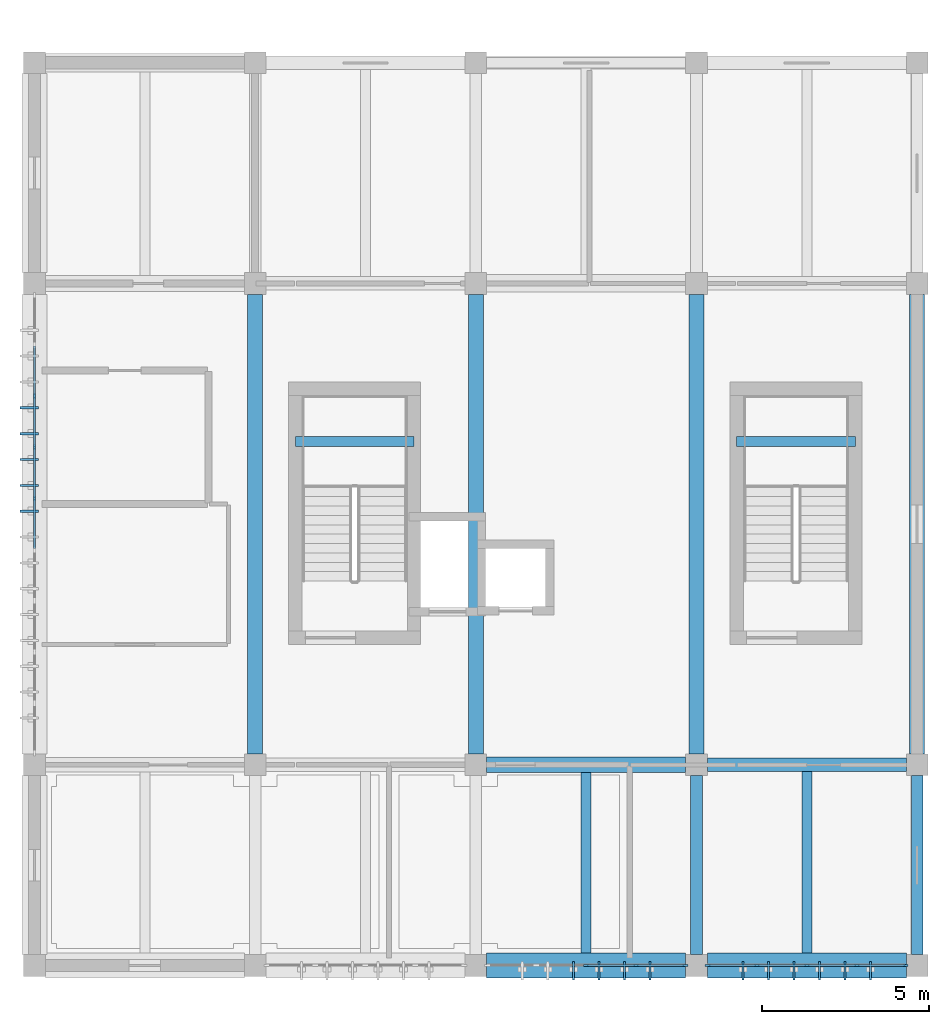
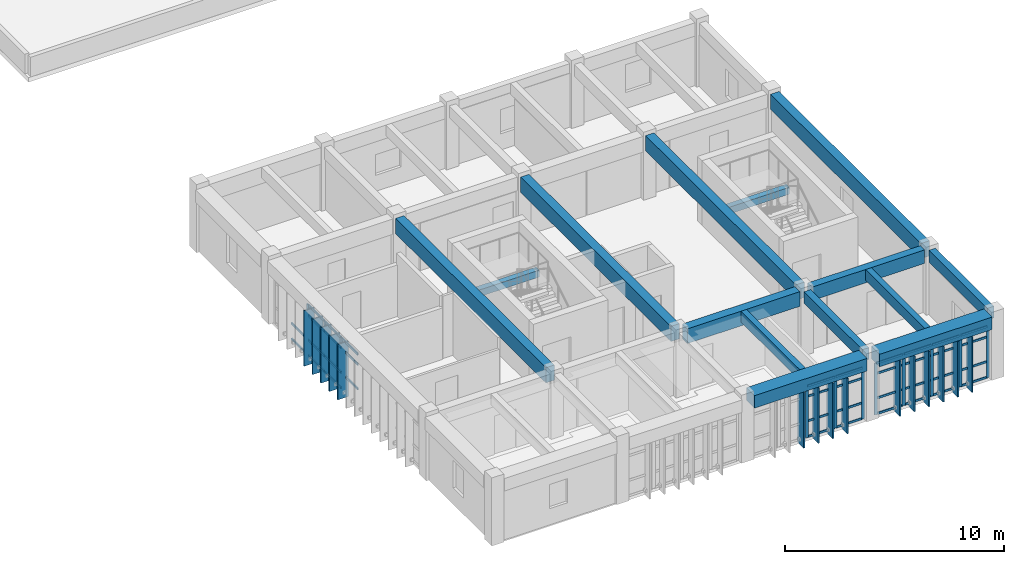
# One storey, part 3 of 9: 63 members, 14 beams, 3 elements without a shape of their own.
"""IFC4 building model written with IfcOpenShell, lengths in metres."""

from ifc_helpers import new_model, si_unit, direction, frame, origin, origin_2d, place, context, subcontext, project, spatial, rectangle, extrude, material, layer, layer_set, material_profile, profile_set, type_object, element, aggregate, save


model = new_model("IFC4")

# Units and contexts
model_context = context("Model", 3, precision=1e-05, world=origin(), true_north=direction((0.0, 1.0)))
body_context = subcontext(model_context, "Body", "Model", "MODEL_VIEW")
ifc_project = project(units=[si_unit("LENGTHUNIT", "METRE"), si_unit("AREAUNIT", "SQUARE_METRE"), si_unit("VOLUMEUNIT", "CUBIC_METRE"), si_unit("PLANEANGLEUNIT", "RADIAN"), si_unit("MASSUNIT", "GRAM", prefix="KILO")], contexts=[model_context])

# Site, building, storey
site_placement = place(None, origin())
site = spatial("IfcSite", under=ifc_project, at=site_placement, CompositionType="ELEMENT")
building_placement = place(site_placement, origin())
building = spatial("IfcBuilding", under=site, at=building_placement, Name="Miralva Faculty of Natural Sciences", CompositionType="ELEMENT")
storey_placement = place(building_placement, frame((0.0, 0.0, 33.0)))
storey = spatial("IfcBuildingStorey", under=building, at=storey_placement, Name="L07", CompositionType="ELEMENT", Elevation=33.0)

# Beams
ifc_material_1 = material(Name="Concrete C40/50", Category="concrete")
ifc_material_profile_1 = material_profile(ifc_material_1, rectangle(XDim=0.449951171875, YDim=0.85009765625, at=origin_2d()), Name="RC 450x850")
ifc_profile_set_1 = profile_set([ifc_material_profile_1], Name="Concrete C40/50")
beam_type_1 = type_object("IfcBeamType", Name="BM-B01", PredefinedType="BEAM", material=ifc_profile_set_1)
for number, where, z_axis, x_axis, name in (
    (1, (9.60009765625, 9.324951171875, 3.155029296875), (0.0, 1.0, 0.0), (-1.0, 0.0, 0.0), "Girder NS L07-21"),
    (2, (16.199951171875, 9.324951171875, 3.155029296875), (0.0, 1.0, 0.0), (-1.0, 0.0, 0.0), "Girder NS L07-24"),
    (3, (22.800048828125, 9.324951171875, 3.155029296875), (0.0, 1.0, 0.0), (-1.0, 0.0, 0.0), "Girder NS L07-27"),
    (4, (29.39990234375, 9.324951171875, 3.155029296875), (0.0, 1.0, 0.0), (-1.0, 0.0, 0.0), "Girder NS L07-30"),
):
    element("IfcBeam", number, at=place(storey_placement, frame(where, z_axis=z_axis, x_axis=x_axis)), inside=storey, type_object=beam_type_1, Name=name, PredefinedType="BEAM", context=body_context, shape_type="SweptSolid", body=[
        extrude(rectangle(XDim=0.449951171875, YDim=0.85009765625, at=origin_2d()), origin(), (0.0, 0.0, 1.0), 13.75),
    ])
ifc_material_profile_2 = material_profile(ifc_material_1, rectangle(XDim=0.39990234375, YDim=0.75, at=origin_2d()), Name="RC 400x750")
ifc_profile_set_2 = profile_set([ifc_material_profile_2], Name="Concrete C40/50")
beam_type_2 = type_object("IfcBeamType", Name="BM-B03", PredefinedType="BEAM", material=ifc_profile_set_2)
beam_1_placement = place(storey_placement, frame((23.125, 9.0, 3.205078125), z_axis=(1.0, 0.0, 0.0), x_axis=(0.0, 1.0, 0.0)))
element("IfcBeam", 5, at=beam_1_placement, inside=storey, type_object=beam_type_2, Name="Girder EW L07-8", PredefinedType="BEAM", context=body_context, shape_type="SweptSolid", body=[
    extrude(rectangle(XDim=0.39990234375, YDim=0.75, at=origin_2d()), origin(), (0.0, 0.0, 1.0), 5.949951171875),
])
ifc_material_profile_3 = material_profile(ifc_material_1, rectangle(XDim=0.35009765625, YDim=0.64990234375, at=origin_2d()), Name="RC 350x650")
ifc_profile_set_3 = profile_set([ifc_material_profile_3], Name="Concrete C40/50")
beam_type_3 = type_object("IfcBeamType", Name="BM-B05", PredefinedType="BEAM", material=ifc_profile_set_3)
for number, where, z_axis, x_axis, name in (
    (6, (22.800048828125, 3.324951171875, 3.2548828125), (0.0, 1.0, 0.0), (-1.0, 0.0, 0.0), "Girder NS L07-26"),
    (7, (29.39990234375, 3.324951171875, 3.2548828125), (0.0, 1.0, 0.0), (-1.0, 0.0, 0.0), "Girder NS L07-29"),
):
    element("IfcBeam", number, at=place(storey_placement, frame(where, z_axis=z_axis, x_axis=x_axis)), inside=storey, type_object=beam_type_3, Name=name, PredefinedType="BEAM", context=body_context, shape_type="SweptSolid", body=[
        extrude(rectangle(XDim=0.35009765625, YDim=0.64990234375, at=origin_2d()), origin(), (0.0, 0.0, 1.0), 5.35009765625),
    ])
ifc_material_profile_4 = material_profile(ifc_material_1, rectangle(XDim=0.4599609375, YDim=0.820068359375, at=origin_2d()), Name="RC 460x820")
ifc_profile_set_4 = profile_set([ifc_material_profile_4], Name="Concrete C40/50")
beam_type_4 = type_object("IfcBeamType", Name="BM-BG15", PredefinedType="BEAM", material=ifc_profile_set_4)
beam_2_placement = place(storey_placement, frame((16.52490234375, 9.0, 3.169921875), z_axis=(1.0, 0.0, 0.0), x_axis=(0.0, 1.0, 0.0)))
element("IfcBeam", 8, at=beam_2_placement, inside=storey, type_object=beam_type_4, Name="Girder EW L07-7", PredefinedType="BEAM", context=body_context, shape_type="SweptSolid", body=[
    extrude(rectangle(XDim=0.4599609375, YDim=0.820068359375, at=origin_2d()), origin(), (0.0, 0.0, 1.0), 5.9501953125),
])
ifc_material_profile_5 = material_profile(ifc_material_1, rectangle(XDim=0.300048828125, YDim=0.60009765625, at=origin_2d()), Name="RC 300x600")
ifc_profile_set_5 = profile_set([ifc_material_profile_5], Name="Concrete C40/50")
beam_type_5 = type_object("IfcBeamType", Name="BM-J01", PredefinedType="JOIST", material=ifc_profile_set_5)
beam_3_placement = place(storey_placement, frame((19.5, 3.375, 3.280029296875), z_axis=(0.0, 1.0, 0.0), x_axis=(-1.0, 0.0, 0.0)))
element("IfcBeam", 9, at=beam_3_placement, inside=storey, type_object=beam_type_5, Name="Floor joist L07-3", PredefinedType="JOIST", context=body_context, shape_type="SweptSolid", body=[
    extrude(rectangle(XDim=0.300048828125, YDim=0.60009765625, at=origin_2d()), origin(), (0.0, 0.0, 1.0), 5.39501953125),
])
beam_4_placement = place(storey_placement, frame((26.10009765625, 3.375, 3.280029296875), z_axis=(0.0, 1.0, 0.0), x_axis=(-1.0, 0.0, 0.0)))
element("IfcBeam", 10, at=beam_4_placement, inside=storey, type_object=beam_type_5, Name="Floor joist L07-4", PredefinedType="JOIST", context=body_context, shape_type="SweptSolid", body=[
    extrude(rectangle(XDim=0.300048828125, YDim=0.60009765625, at=origin_2d()), origin(), (0.0, 0.0, 1.0), 5.425048828125),
])
ifc_material_profile_6 = material_profile(ifc_material_1, rectangle(XDim=0.300048828125, YDim=0.3798828125, at=origin_2d()), Name="RC 300x380")
ifc_profile_set_6 = profile_set([ifc_material_profile_6], Name="Concrete C40/50")
beam_type_6 = type_object("IfcBeamType", Name="BM-LND01", PredefinedType="BEAM", material=ifc_profile_set_6)
for number, where, z_axis, x_axis, name in (
    (11, (10.800048828125, 18.675048828125, 1.52001953125), (1.0, 0.0, 0.0), (0.0, 1.0, 0.0), "Stair Core C1 half-landing support beam L07"),
    (12, (24.0, 18.675048828125, 1.52001953125), (1.0, 0.0, 0.0), (0.0, 1.0, 0.0), "Stair Core C1B half-landing support beam L07"),
):
    element("IfcBeam", number, at=place(storey_placement, frame(where, z_axis=z_axis, x_axis=x_axis)), inside=storey, type_object=beam_type_6, Name=name, PredefinedType="BEAM", context=body_context, shape_type="SweptSolid", body=[
        extrude(rectangle(XDim=0.300048828125, YDim=0.3798828125, at=origin_2d()), origin(), (0.0, 0.0, 1.0), 3.550048828125),
    ])
ifc_material_profile_7 = material_profile(ifc_material_1, rectangle(XDim=0.75, YDim=0.699951171875, at=origin_2d()), Name="RC 750x700")
ifc_profile_set_7 = profile_set([ifc_material_profile_7], Name="Concrete C40/50")
beam_type_7 = type_object("IfcBeamType", Name="BM-SP01", PredefinedType="SPANDREL", material=ifc_profile_set_7)
beam_5_placement = place(storey_placement, frame((16.52490234375, 3.0, 3.22998046875), z_axis=(1.0, 0.0, 0.0), x_axis=(0.0, 1.0, 0.0)))
element("IfcBeam", 13, at=beam_5_placement, inside=storey, type_object=beam_type_7, Name="Girder EW L07-3", PredefinedType="SPANDREL", context=body_context, shape_type="SweptSolid", body=[
    extrude(rectangle(XDim=0.75, YDim=0.699951171875, at=origin_2d()), origin(), (0.0, 0.0, 1.0), 5.9501953125),
])
beam_6_placement = place(storey_placement, frame((23.125, 3.0, 3.22998046875), z_axis=(1.0, 0.0, 0.0), x_axis=(0.0, 1.0, 0.0)))
element("IfcBeam", 14, at=beam_6_placement, inside=storey, type_object=beam_type_7, Name="Girder EW L07-4", PredefinedType="SPANDREL", context=body_context, shape_type="SweptSolid", body=[
    extrude(rectangle(XDim=0.75, YDim=0.699951171875, at=origin_2d()), origin(), (0.0, 0.0, 1.0), 5.949951171875),
])

# Curtain wall, members
ifc_material_2 = material(Name="Laminated solar-control glass", Category="glass")
ifc_layer = layer(ifc_material_2, 0.179931640625, Name="CW-TWR-L07")
ifc_layer_set = layer_set([ifc_layer], Name="Laminated solar-control glass")
curtain_wall_type = type_object("IfcCurtainWallType", Name="CW-TWR-L07", PredefinedType="USERDEFINED", material=ifc_layer_set)
curtain_wall_1_placement = place(storey_placement, origin())
curtain_wall_1 = element("IfcCurtainWall", 15, at=curtain_wall_1_placement, inside=storey, type_object=curtain_wall_type, Name="Curtain wall CW-15 L07-244", ObjectType="UNITISED CURTAIN WALL", PredefinedType="USERDEFINED")
ifc_material_3 = material(Name="Anodised aluminium", Category="aluminium")
ifc_material_profile_8 = material_profile(ifc_material_3, rectangle(XDim=0.06494140625, YDim=0.159912109375, at=origin_2d()), Name="MULLION 65x160")
ifc_profile_set_8 = profile_set([ifc_material_profile_8], Name="Anodised aluminium")
member_type_1 = type_object("IfcMemberType", Name="CW-M02", PredefinedType="MULLION", material=ifc_profile_set_8)
member_1_placement = place(storey_placement, frame((19.5, 3.0, 0.0), z_axis=(0.0, 0.0, 1.0), x_axis=(0.0, 1.0, 0.0)))
member_1 = element("IfcMember", 16, at=member_1_placement, type_object=member_type_1, Name="CW-15 mullion 3", PredefinedType="MULLION", context=body_context, shape_type="SweptSolid", body=[
    extrude(rectangle(XDim=0.06494140625, YDim=0.159912109375, at=origin_2d()), origin(), (0.0, 0.0, 1.0), 2.875),
])
member_2_placement = place(storey_placement, frame((20.99755859375, 3.0, 0.0), z_axis=(0.0, 0.0, 1.0), x_axis=(0.0, 1.0, 0.0)))
member_2 = element("IfcMember", 17, at=member_2_placement, type_object=member_type_1, Name="CW-15 mullion 4", PredefinedType="MULLION", context=body_context, shape_type="SweptSolid", body=[
    extrude(rectangle(XDim=0.06494140625, YDim=0.159912109375, at=origin_2d()), origin(), (0.0, 0.0, 1.0), 2.875),
])
member_3_placement = place(storey_placement, frame((22.46240234375, 3.0, 0.0), z_axis=(0.0, 0.0, 1.0), x_axis=(0.0, 1.0, 0.0)))
member_3 = element("IfcMember", 18, at=member_3_placement, type_object=member_type_1, Name="CW-15 mullion 5", PredefinedType="MULLION", context=body_context, shape_type="SweptSolid", body=[
    extrude(rectangle(XDim=0.06494140625, YDim=0.159912109375, at=origin_2d()), origin(), (0.0, 0.0, 1.0), 2.875),
])

curtain_wall_2_placement = place(storey_placement, origin())
curtain_wall_2 = element("IfcCurtainWall", 19, at=curtain_wall_2_placement, inside=storey, type_object=curtain_wall_type, Name="Curtain wall CW-15 L07-245", ObjectType="UNITISED CURTAIN WALL", PredefinedType="USERDEFINED")
member_4_placement = place(storey_placement, frame((23.137451171875, 3.0, 0.0), z_axis=(0.0, 0.0, 1.0), x_axis=(0.0, 1.0, 0.0)))
member_4 = element("IfcMember", 20, at=member_4_placement, type_object=member_type_1, Name="CW-15 mullion 1", PredefinedType="MULLION", context=body_context, shape_type="SweptSolid", body=[
    extrude(rectangle(XDim=0.06494140625, YDim=0.159912109375, at=origin_2d()), origin(), (0.0, 0.0, 1.0), 2.875),
])
member_5_placement = place(storey_placement, frame((24.60009765625, 3.0, 0.0), z_axis=(0.0, 0.0, 1.0), x_axis=(0.0, 1.0, 0.0)))
member_5 = element("IfcMember", 21, at=member_5_placement, type_object=member_type_1, Name="CW-15 mullion 2", PredefinedType="MULLION", context=body_context, shape_type="SweptSolid", body=[
    extrude(rectangle(XDim=0.06494140625, YDim=0.159912109375, at=origin_2d()), origin(), (0.0, 0.0, 1.0), 2.875),
])
member_6_placement = place(storey_placement, frame((26.094970703125, 3.0, 0.0), z_axis=(0.0, 0.0, 1.0), x_axis=(0.0, 1.0, 0.0)))
member_6 = element("IfcMember", 22, at=member_6_placement, type_object=member_type_1, Name="CW-15 mullion 3", PredefinedType="MULLION", context=body_context, shape_type="SweptSolid", body=[
    extrude(rectangle(XDim=0.06494140625, YDim=0.159912109375, at=origin_2d()), origin(), (0.0, 0.0, 1.0), 2.875),
])
member_7_placement = place(storey_placement, frame((27.590087890625, 3.0, 0.0), z_axis=(0.0, 0.0, 1.0), x_axis=(0.0, 1.0, 0.0)))
member_7 = element("IfcMember", 23, at=member_7_placement, type_object=member_type_1, Name="CW-15 mullion 4", PredefinedType="MULLION", context=body_context, shape_type="SweptSolid", body=[
    extrude(rectangle(XDim=0.06494140625, YDim=0.159912109375, at=origin_2d()), origin(), (0.0, 0.0, 1.0), 2.875),
])
member_8_placement = place(storey_placement, frame((29.052490234375, 3.0, 0.0), z_axis=(0.0, 0.0, 1.0), x_axis=(0.0, 1.0, 0.0)))
member_8 = element("IfcMember", 24, at=member_8_placement, type_object=member_type_1, Name="CW-15 mullion 5", PredefinedType="MULLION", context=body_context, shape_type="SweptSolid", body=[
    extrude(rectangle(XDim=0.06494140625, YDim=0.159912109375, at=origin_2d()), origin(), (0.0, 0.0, 1.0), 2.875),
])

curtain_wall_3_placement = place(storey_placement, origin())
curtain_wall_3 = element("IfcCurtainWall", 25, at=curtain_wall_3_placement, inside=storey, type_object=curtain_wall_type, Name="Curtain wall CW-15 L07-246", ObjectType="UNITISED CURTAIN WALL", PredefinedType="USERDEFINED")
member_9_placement = place(storey_placement, frame((3.0, 16.965087890625, 0.0), z_axis=(0.0, 0.0, 1.0), x_axis=(-1.0, 0.0, 0.0)))
member_9 = element("IfcMember", 26, at=member_9_placement, type_object=member_type_1, Name="CW-15 mullion 6", PredefinedType="MULLION", context=body_context, shape_type="SweptSolid", body=[
    extrude(rectangle(XDim=0.06494140625, YDim=0.159912109375, at=origin_2d()), origin(), (0.0, 0.0, 1.0), 2.875),
])
member_10_placement = place(storey_placement, frame((3.0, 18.4951171875, 0.0), z_axis=(0.0, 0.0, 1.0), x_axis=(-1.0, 0.0, 0.0)))
member_10 = element("IfcMember", 27, at=member_10_placement, type_object=member_type_1, Name="CW-15 mullion 7", PredefinedType="MULLION", context=body_context, shape_type="SweptSolid", body=[
    extrude(rectangle(XDim=0.06494140625, YDim=0.159912109375, at=origin_2d()), origin(), (0.0, 0.0, 1.0), 2.875),
])
member_11_placement = place(storey_placement, frame((3.0, 20.02490234375, 0.0), z_axis=(0.0, 0.0, 1.0), x_axis=(-1.0, 0.0, 0.0)))
member_11 = element("IfcMember", 28, at=member_11_placement, type_object=member_type_1, Name="CW-15 mullion 8", PredefinedType="MULLION", context=body_context, shape_type="SweptSolid", body=[
    extrude(rectangle(XDim=0.06494140625, YDim=0.159912109375, at=origin_2d()), origin(), (0.0, 0.0, 1.0), 2.875),
])

# Member
ifc_material_profile_9 = material_profile(ifc_material_3, rectangle(XDim=0.06005859375, YDim=0.1201171875, at=origin_2d()), Name="TRANSOM 60x120")
ifc_profile_set_9 = profile_set([ifc_material_profile_9], Name="Anodised aluminium")
member_type_2 = type_object("IfcMemberType", Name="CW-T02", PredefinedType="USERDEFINED", material=ifc_profile_set_9)
member_12_placement = place(storey_placement, frame((19.532470703125, 3.0, 0.030029296875), z_axis=(1.0, 0.0, 0.0), x_axis=(0.0, 1.0, 0.0)))
member_12 = element("IfcMember", 29, at=member_12_placement, type_object=member_type_2, Name="CW-15 transom 3.1", ObjectType="TRANSOM", PredefinedType="USERDEFINED", context=body_context, shape_type="SweptSolid", body=[
    extrude(rectangle(XDim=0.06005859375, YDim=0.1201171875, at=origin_2d()), origin(), (0.0, 0.0, 1.0), 1.4326171875),
])

member_13_placement = place(storey_placement, frame((19.532470703125, 3.0, 0.89990234375), z_axis=(1.0, 0.0, 0.0), x_axis=(0.0, 1.0, 0.0)))
member_13 = element("IfcMember", 30, at=member_13_placement, type_object=member_type_2, Name="CW-15 transom 3.2", ObjectType="TRANSOM", PredefinedType="USERDEFINED", context=body_context, shape_type="SweptSolid", body=[
    extrude(rectangle(XDim=0.06005859375, YDim=0.1201171875, at=origin_2d()), origin(), (0.0, 0.0, 1.0), 1.4326171875),
])

member_14_placement = place(storey_placement, frame((19.532470703125, 3.0, 2.27490234375), z_axis=(1.0, 0.0, 0.0), x_axis=(0.0, 1.0, 0.0)))
member_14 = element("IfcMember", 31, at=member_14_placement, type_object=member_type_2, Name="CW-15 transom 3.3", ObjectType="TRANSOM", PredefinedType="USERDEFINED", context=body_context, shape_type="SweptSolid", body=[
    extrude(rectangle(XDim=0.06005859375, YDim=0.1201171875, at=origin_2d()), origin(), (0.0, 0.0, 1.0), 1.4326171875),
])

member_15_placement = place(storey_placement, frame((19.532470703125, 3.0, 2.844970703125), z_axis=(1.0, 0.0, 0.0), x_axis=(0.0, 1.0, 0.0)))
member_15 = element("IfcMember", 32, at=member_15_placement, type_object=member_type_2, Name="CW-15 transom 3.4", ObjectType="TRANSOM", PredefinedType="USERDEFINED", context=body_context, shape_type="SweptSolid", body=[
    extrude(rectangle(XDim=0.06005859375, YDim=0.1201171875, at=origin_2d()), origin(), (0.0, 0.0, 1.0), 1.4326171875),
])

member_16_placement = place(storey_placement, frame((21.030029296875, 3.0, 0.030029296875), z_axis=(1.0, 0.0, 0.0), x_axis=(0.0, 1.0, 0.0)))
member_16 = element("IfcMember", 33, at=member_16_placement, type_object=member_type_2, Name="CW-15 transom 4.1", ObjectType="TRANSOM", PredefinedType="USERDEFINED", context=body_context, shape_type="SweptSolid", body=[
    extrude(rectangle(XDim=0.06005859375, YDim=0.1201171875, at=origin_2d()), origin(), (0.0, 0.0, 1.0), 1.39990234375),
])

member_17_placement = place(storey_placement, frame((21.030029296875, 3.0, 0.89990234375), z_axis=(1.0, 0.0, 0.0), x_axis=(0.0, 1.0, 0.0)))
member_17 = element("IfcMember", 34, at=member_17_placement, type_object=member_type_2, Name="CW-15 transom 4.2", ObjectType="TRANSOM", PredefinedType="USERDEFINED", context=body_context, shape_type="SweptSolid", body=[
    extrude(rectangle(XDim=0.06005859375, YDim=0.1201171875, at=origin_2d()), origin(), (0.0, 0.0, 1.0), 1.39990234375),
])

member_18_placement = place(storey_placement, frame((21.030029296875, 3.0, 2.27490234375), z_axis=(1.0, 0.0, 0.0), x_axis=(0.0, 1.0, 0.0)))
member_18 = element("IfcMember", 35, at=member_18_placement, type_object=member_type_2, Name="CW-15 transom 4.3", ObjectType="TRANSOM", PredefinedType="USERDEFINED", context=body_context, shape_type="SweptSolid", body=[
    extrude(rectangle(XDim=0.06005859375, YDim=0.1201171875, at=origin_2d()), origin(), (0.0, 0.0, 1.0), 1.39990234375),
])

member_19_placement = place(storey_placement, frame((21.030029296875, 3.0, 2.844970703125), z_axis=(1.0, 0.0, 0.0), x_axis=(0.0, 1.0, 0.0)))
member_19 = element("IfcMember", 36, at=member_19_placement, type_object=member_type_2, Name="CW-15 transom 4.4", ObjectType="TRANSOM", PredefinedType="USERDEFINED", context=body_context, shape_type="SweptSolid", body=[
    extrude(rectangle(XDim=0.06005859375, YDim=0.1201171875, at=origin_2d()), origin(), (0.0, 0.0, 1.0), 1.39990234375),
])

aggregate(curtain_wall_1, [member_1, member_2, member_3, member_12, member_13, member_14, member_15, member_16, member_17, member_18, member_19])

member_20_placement = place(storey_placement, frame((23.169921875, 3.0, 0.030029296875), z_axis=(1.0, 0.0, 0.0), x_axis=(0.0, 1.0, 0.0)))
member_20 = element("IfcMember", 37, at=member_20_placement, type_object=member_type_2, Name="CW-15 transom 1.1", ObjectType="TRANSOM", PredefinedType="USERDEFINED", context=body_context, shape_type="SweptSolid", body=[
    extrude(rectangle(XDim=0.06005859375, YDim=0.1201171875, at=origin_2d()), origin(), (0.0, 0.0, 1.0), 1.3974609375),
])

member_21_placement = place(storey_placement, frame((23.169921875, 3.0, 0.89990234375), z_axis=(1.0, 0.0, 0.0), x_axis=(0.0, 1.0, 0.0)))
member_21 = element("IfcMember", 38, at=member_21_placement, type_object=member_type_2, Name="CW-15 transom 1.2", ObjectType="TRANSOM", PredefinedType="USERDEFINED", context=body_context, shape_type="SweptSolid", body=[
    extrude(rectangle(XDim=0.06005859375, YDim=0.1201171875, at=origin_2d()), origin(), (0.0, 0.0, 1.0), 1.3974609375),
])

member_22_placement = place(storey_placement, frame((23.169921875, 3.0, 2.27490234375), z_axis=(1.0, 0.0, 0.0), x_axis=(0.0, 1.0, 0.0)))
member_22 = element("IfcMember", 39, at=member_22_placement, type_object=member_type_2, Name="CW-15 transom 1.3", ObjectType="TRANSOM", PredefinedType="USERDEFINED", context=body_context, shape_type="SweptSolid", body=[
    extrude(rectangle(XDim=0.06005859375, YDim=0.1201171875, at=origin_2d()), origin(), (0.0, 0.0, 1.0), 1.3974609375),
])

member_23_placement = place(storey_placement, frame((23.169921875, 3.0, 2.844970703125), z_axis=(1.0, 0.0, 0.0), x_axis=(0.0, 1.0, 0.0)))
member_23 = element("IfcMember", 40, at=member_23_placement, type_object=member_type_2, Name="CW-15 transom 1.4", ObjectType="TRANSOM", PredefinedType="USERDEFINED", context=body_context, shape_type="SweptSolid", body=[
    extrude(rectangle(XDim=0.06005859375, YDim=0.1201171875, at=origin_2d()), origin(), (0.0, 0.0, 1.0), 1.3974609375),
])

member_24_placement = place(storey_placement, frame((24.632568359375, 3.0, 0.030029296875), z_axis=(1.0, 0.0, 0.0), x_axis=(0.0, 1.0, 0.0)))
member_24 = element("IfcMember", 41, at=member_24_placement, type_object=member_type_2, Name="CW-15 transom 2.1", ObjectType="TRANSOM", PredefinedType="USERDEFINED", context=body_context, shape_type="SweptSolid", body=[
    extrude(rectangle(XDim=0.06005859375, YDim=0.1201171875, at=origin_2d()), origin(), (0.0, 0.0, 1.0), 1.429931640625),
])

member_25_placement = place(storey_placement, frame((24.632568359375, 3.0, 0.89990234375), z_axis=(1.0, 0.0, 0.0), x_axis=(0.0, 1.0, 0.0)))
member_25 = element("IfcMember", 42, at=member_25_placement, type_object=member_type_2, Name="CW-15 transom 2.2", ObjectType="TRANSOM", PredefinedType="USERDEFINED", context=body_context, shape_type="SweptSolid", body=[
    extrude(rectangle(XDim=0.06005859375, YDim=0.1201171875, at=origin_2d()), origin(), (0.0, 0.0, 1.0), 1.429931640625),
])

member_26_placement = place(storey_placement, frame((24.632568359375, 3.0, 2.27490234375), z_axis=(1.0, 0.0, 0.0), x_axis=(0.0, 1.0, 0.0)))
member_26 = element("IfcMember", 43, at=member_26_placement, type_object=member_type_2, Name="CW-15 transom 2.3", ObjectType="TRANSOM", PredefinedType="USERDEFINED", context=body_context, shape_type="SweptSolid", body=[
    extrude(rectangle(XDim=0.06005859375, YDim=0.1201171875, at=origin_2d()), origin(), (0.0, 0.0, 1.0), 1.429931640625),
])

member_27_placement = place(storey_placement, frame((24.632568359375, 3.0, 2.844970703125), z_axis=(1.0, 0.0, 0.0), x_axis=(0.0, 1.0, 0.0)))
member_27 = element("IfcMember", 44, at=member_27_placement, type_object=member_type_2, Name="CW-15 transom 2.4", ObjectType="TRANSOM", PredefinedType="USERDEFINED", context=body_context, shape_type="SweptSolid", body=[
    extrude(rectangle(XDim=0.06005859375, YDim=0.1201171875, at=origin_2d()), origin(), (0.0, 0.0, 1.0), 1.429931640625),
])

member_28_placement = place(storey_placement, frame((26.12744140625, 3.0, 0.030029296875), z_axis=(1.0, 0.0, 0.0), x_axis=(0.0, 1.0, 0.0)))
member_28 = element("IfcMember", 45, at=member_28_placement, type_object=member_type_2, Name="CW-15 transom 3.1", ObjectType="TRANSOM", PredefinedType="USERDEFINED", context=body_context, shape_type="SweptSolid", body=[
    extrude(rectangle(XDim=0.06005859375, YDim=0.1201171875, at=origin_2d()), origin(), (0.0, 0.0, 1.0), 1.43017578125),
])

member_29_placement = place(storey_placement, frame((26.12744140625, 3.0, 0.89990234375), z_axis=(1.0, 0.0, 0.0), x_axis=(0.0, 1.0, 0.0)))
member_29 = element("IfcMember", 46, at=member_29_placement, type_object=member_type_2, Name="CW-15 transom 3.2", ObjectType="TRANSOM", PredefinedType="USERDEFINED", context=body_context, shape_type="SweptSolid", body=[
    extrude(rectangle(XDim=0.06005859375, YDim=0.1201171875, at=origin_2d()), origin(), (0.0, 0.0, 1.0), 1.43017578125),
])

member_30_placement = place(storey_placement, frame((26.12744140625, 3.0, 2.27490234375), z_axis=(1.0, 0.0, 0.0), x_axis=(0.0, 1.0, 0.0)))
member_30 = element("IfcMember", 47, at=member_30_placement, type_object=member_type_2, Name="CW-15 transom 3.3", ObjectType="TRANSOM", PredefinedType="USERDEFINED", context=body_context, shape_type="SweptSolid", body=[
    extrude(rectangle(XDim=0.06005859375, YDim=0.1201171875, at=origin_2d()), origin(), (0.0, 0.0, 1.0), 1.43017578125),
])

member_31_placement = place(storey_placement, frame((26.12744140625, 3.0, 2.844970703125), z_axis=(1.0, 0.0, 0.0), x_axis=(0.0, 1.0, 0.0)))
member_31 = element("IfcMember", 48, at=member_31_placement, type_object=member_type_2, Name="CW-15 transom 3.4", ObjectType="TRANSOM", PredefinedType="USERDEFINED", context=body_context, shape_type="SweptSolid", body=[
    extrude(rectangle(XDim=0.06005859375, YDim=0.1201171875, at=origin_2d()), origin(), (0.0, 0.0, 1.0), 1.43017578125),
])

member_32_placement = place(storey_placement, frame((27.62255859375, 3.0, 0.030029296875), z_axis=(1.0, 0.0, 0.0), x_axis=(0.0, 1.0, 0.0)))
member_32 = element("IfcMember", 49, at=member_32_placement, type_object=member_type_2, Name="CW-15 transom 4.1", ObjectType="TRANSOM", PredefinedType="USERDEFINED", context=body_context, shape_type="SweptSolid", body=[
    extrude(rectangle(XDim=0.06005859375, YDim=0.1201171875, at=origin_2d()), origin(), (0.0, 0.0, 1.0), 1.3974609375),
])

member_33_placement = place(storey_placement, frame((27.62255859375, 3.0, 0.89990234375), z_axis=(1.0, 0.0, 0.0), x_axis=(0.0, 1.0, 0.0)))
member_33 = element("IfcMember", 50, at=member_33_placement, type_object=member_type_2, Name="CW-15 transom 4.2", ObjectType="TRANSOM", PredefinedType="USERDEFINED", context=body_context, shape_type="SweptSolid", body=[
    extrude(rectangle(XDim=0.06005859375, YDim=0.1201171875, at=origin_2d()), origin(), (0.0, 0.0, 1.0), 1.3974609375),
])

member_34_placement = place(storey_placement, frame((27.62255859375, 3.0, 2.27490234375), z_axis=(1.0, 0.0, 0.0), x_axis=(0.0, 1.0, 0.0)))
member_34 = element("IfcMember", 51, at=member_34_placement, type_object=member_type_2, Name="CW-15 transom 4.3", ObjectType="TRANSOM", PredefinedType="USERDEFINED", context=body_context, shape_type="SweptSolid", body=[
    extrude(rectangle(XDim=0.06005859375, YDim=0.1201171875, at=origin_2d()), origin(), (0.0, 0.0, 1.0), 1.3974609375),
])

member_35_placement = place(storey_placement, frame((27.62255859375, 3.0, 2.844970703125), z_axis=(1.0, 0.0, 0.0), x_axis=(0.0, 1.0, 0.0)))
member_35 = element("IfcMember", 52, at=member_35_placement, type_object=member_type_2, Name="CW-15 transom 4.4", ObjectType="TRANSOM", PredefinedType="USERDEFINED", context=body_context, shape_type="SweptSolid", body=[
    extrude(rectangle(XDim=0.06005859375, YDim=0.1201171875, at=origin_2d()), origin(), (0.0, 0.0, 1.0), 1.3974609375),
])

aggregate(curtain_wall_2, [member_4, member_5, member_6, member_7, member_8, member_20, member_21, member_22, member_23, member_24, member_25, member_26, member_27, member_28, member_29, member_30, member_31, member_32, member_33, member_34, member_35])

member_36_placement = place(storey_placement, frame((3.0, 15.467529296875, 0.89990234375), z_axis=(0.0, 1.0, 0.0), x_axis=(-1.0, 0.0, 0.0)))
member_36 = element("IfcMember", 53, at=member_36_placement, type_object=member_type_2, Name="CW-15 transom 5.2", ObjectType="TRANSOM", PredefinedType="USERDEFINED", context=body_context, shape_type="SweptSolid", body=[
    extrude(rectangle(XDim=0.06005859375, YDim=0.1201171875, at=origin_2d()), origin(), (0.0, 0.0, 1.0), 1.465087890625),
])

member_37_placement = place(storey_placement, frame((3.0, 15.467529296875, 2.27490234375), z_axis=(0.0, 1.0, 0.0), x_axis=(-1.0, 0.0, 0.0)))
member_37 = element("IfcMember", 54, at=member_37_placement, type_object=member_type_2, Name="CW-15 transom 5.3", ObjectType="TRANSOM", PredefinedType="USERDEFINED", context=body_context, shape_type="SweptSolid", body=[
    extrude(rectangle(XDim=0.06005859375, YDim=0.1201171875, at=origin_2d()), origin(), (0.0, 0.0, 1.0), 1.465087890625),
])

member_38_placement = place(storey_placement, frame((3.0, 15.467529296875, 2.844970703125), z_axis=(0.0, 1.0, 0.0), x_axis=(-1.0, 0.0, 0.0)))
member_38 = element("IfcMember", 55, at=member_38_placement, type_object=member_type_2, Name="CW-15 transom 5.4", ObjectType="TRANSOM", PredefinedType="USERDEFINED", context=body_context, shape_type="SweptSolid", body=[
    extrude(rectangle(XDim=0.06005859375, YDim=0.1201171875, at=origin_2d()), origin(), (0.0, 0.0, 1.0), 1.465087890625),
])

member_39_placement = place(storey_placement, frame((3.0, 16.99755859375, 0.030029296875), z_axis=(0.0, 1.0, 0.0), x_axis=(-1.0, 0.0, 0.0)))
member_39 = element("IfcMember", 56, at=member_39_placement, type_object=member_type_2, Name="CW-15 transom 6.1", ObjectType="TRANSOM", PredefinedType="USERDEFINED", context=body_context, shape_type="SweptSolid", body=[
    extrude(rectangle(XDim=0.06005859375, YDim=0.1201171875, at=origin_2d()), origin(), (0.0, 0.0, 1.0), 1.46484375),
])

member_40_placement = place(storey_placement, frame((3.0, 16.99755859375, 0.89990234375), z_axis=(0.0, 1.0, 0.0), x_axis=(-1.0, 0.0, 0.0)))
member_40 = element("IfcMember", 57, at=member_40_placement, type_object=member_type_2, Name="CW-15 transom 6.2", ObjectType="TRANSOM", PredefinedType="USERDEFINED", context=body_context, shape_type="SweptSolid", body=[
    extrude(rectangle(XDim=0.06005859375, YDim=0.1201171875, at=origin_2d()), origin(), (0.0, 0.0, 1.0), 1.46484375),
])

member_41_placement = place(storey_placement, frame((3.0, 16.99755859375, 2.27490234375), z_axis=(0.0, 1.0, 0.0), x_axis=(-1.0, 0.0, 0.0)))
member_41 = element("IfcMember", 58, at=member_41_placement, type_object=member_type_2, Name="CW-15 transom 6.3", ObjectType="TRANSOM", PredefinedType="USERDEFINED", context=body_context, shape_type="SweptSolid", body=[
    extrude(rectangle(XDim=0.06005859375, YDim=0.1201171875, at=origin_2d()), origin(), (0.0, 0.0, 1.0), 1.46484375),
])

member_42_placement = place(storey_placement, frame((3.0, 16.99755859375, 2.844970703125), z_axis=(0.0, 1.0, 0.0), x_axis=(-1.0, 0.0, 0.0)))
member_42 = element("IfcMember", 59, at=member_42_placement, type_object=member_type_2, Name="CW-15 transom 6.4", ObjectType="TRANSOM", PredefinedType="USERDEFINED", context=body_context, shape_type="SweptSolid", body=[
    extrude(rectangle(XDim=0.06005859375, YDim=0.1201171875, at=origin_2d()), origin(), (0.0, 0.0, 1.0), 1.46484375),
])

member_43_placement = place(storey_placement, frame((3.0, 18.527587890625, 0.030029296875), z_axis=(0.0, 1.0, 0.0), x_axis=(-1.0, 0.0, 0.0)))
member_43 = element("IfcMember", 60, at=member_43_placement, type_object=member_type_2, Name="CW-15 transom 7.1", ObjectType="TRANSOM", PredefinedType="USERDEFINED", context=body_context, shape_type="SweptSolid", body=[
    extrude(rectangle(XDim=0.06005859375, YDim=0.1201171875, at=origin_2d()), origin(), (0.0, 0.0, 1.0), 1.46484375),
])

member_44_placement = place(storey_placement, frame((3.0, 18.527587890625, 0.89990234375), z_axis=(0.0, 1.0, 0.0), x_axis=(-1.0, 0.0, 0.0)))
member_44 = element("IfcMember", 61, at=member_44_placement, type_object=member_type_2, Name="CW-15 transom 7.2", ObjectType="TRANSOM", PredefinedType="USERDEFINED", context=body_context, shape_type="SweptSolid", body=[
    extrude(rectangle(XDim=0.06005859375, YDim=0.1201171875, at=origin_2d()), origin(), (0.0, 0.0, 1.0), 1.46484375),
])

member_45_placement = place(storey_placement, frame((3.0, 18.527587890625, 2.27490234375), z_axis=(0.0, 1.0, 0.0), x_axis=(-1.0, 0.0, 0.0)))
member_45 = element("IfcMember", 62, at=member_45_placement, type_object=member_type_2, Name="CW-15 transom 7.3", ObjectType="TRANSOM", PredefinedType="USERDEFINED", context=body_context, shape_type="SweptSolid", body=[
    extrude(rectangle(XDim=0.06005859375, YDim=0.1201171875, at=origin_2d()), origin(), (0.0, 0.0, 1.0), 1.46484375),
])

member_46_placement = place(storey_placement, frame((3.0, 18.527587890625, 2.844970703125), z_axis=(0.0, 1.0, 0.0), x_axis=(-1.0, 0.0, 0.0)))
member_46 = element("IfcMember", 63, at=member_46_placement, type_object=member_type_2, Name="CW-15 transom 7.4", ObjectType="TRANSOM", PredefinedType="USERDEFINED", context=body_context, shape_type="SweptSolid", body=[
    extrude(rectangle(XDim=0.06005859375, YDim=0.1201171875, at=origin_2d()), origin(), (0.0, 0.0, 1.0), 1.46484375),
])

member_47_placement = place(storey_placement, frame((3.0, 20.0576171875, 0.030029296875), z_axis=(0.0, 1.0, 0.0), x_axis=(-1.0, 0.0, 0.0)))
member_47 = element("IfcMember", 64, at=member_47_placement, type_object=member_type_2, Name="CW-15 transom 8.1", ObjectType="TRANSOM", PredefinedType="USERDEFINED", context=body_context, shape_type="SweptSolid", body=[
    extrude(rectangle(XDim=0.06005859375, YDim=0.1201171875, at=origin_2d()), origin(), (0.0, 0.0, 1.0), 1.46484375),
])

member_48_placement = place(storey_placement, frame((3.0, 20.0576171875, 0.89990234375), z_axis=(0.0, 1.0, 0.0), x_axis=(-1.0, 0.0, 0.0)))
member_48 = element("IfcMember", 65, at=member_48_placement, type_object=member_type_2, Name="CW-15 transom 8.2", ObjectType="TRANSOM", PredefinedType="USERDEFINED", context=body_context, shape_type="SweptSolid", body=[
    extrude(rectangle(XDim=0.06005859375, YDim=0.1201171875, at=origin_2d()), origin(), (0.0, 0.0, 1.0), 1.46484375),
])

aggregate(curtain_wall_3, [member_9, member_10, member_11, member_36, member_37, member_38, member_39, member_40, member_41, member_42, member_43, member_44, member_45, member_46, member_47, member_48])

# Members
ifc_material_profile_10 = material_profile(ifc_material_3, rectangle(XDim=0.06494140625, YDim=0.550048828125, at=origin_2d()), Name="FIN 550x65")
ifc_profile_set_10 = profile_set([ifc_material_profile_10], Name="Anodised aluminium")
member_type_3 = type_object("IfcMemberType", Name="MEM-SF03", PredefinedType="USERDEFINED", material=ifc_profile_set_10)
for number, where, z_axis, x_axis, name in (
    (66, (19.117431640625, 2.840087890625, -0.219970703125), (0.0, 0.0, 1.0), (1.0, 0.0, 0.0), "Solar shading fin SF-03 L07-408"),
    (67, (19.882568359375, 2.840087890625, -0.219970703125), (0.0, 0.0, 1.0), (1.0, 0.0, 0.0), "Solar shading fin SF-03 L07-409"),
    (68, (20.6474609375, 2.840087890625, -0.219970703125), (0.0, 0.0, 1.0), (1.0, 0.0, 0.0), "Solar shading fin SF-03 L07-410"),
    (69, (21.41259765625, 2.840087890625, -0.219970703125), (0.0, 0.0, 1.0), (1.0, 0.0, 0.0), "Solar shading fin SF-03 L07-411"),
    (70, (24.186767578125, 2.840087890625, -0.219970703125), (0.0, 0.0, 1.0), (1.0, 0.0, 0.0), "Solar shading fin SF-03 L07-412"),
    (71, (24.949951171875, 2.840087890625, -0.219970703125), (0.0, 0.0, 1.0), (1.0, 0.0, 0.0), "Solar shading fin SF-03 L07-413"),
    (72, (25.71337890625, 2.840087890625, -0.219970703125), (0.0, 0.0, 1.0), (1.0, 0.0, 0.0), "Solar shading fin SF-03 L07-414"),
    (73, (26.476806640625, 2.840087890625, -0.219970703125), (0.0, 0.0, 1.0), (1.0, 0.0, 0.0), "Solar shading fin SF-03 L07-415"),
    (74, (27.239990234375, 2.840087890625, -0.219970703125), (0.0, 0.0, 1.0), (1.0, 0.0, 0.0), "Solar shading fin SF-03 L07-416"),
    (75, (28.00341796875, 2.840087890625, -0.219970703125), (0.0, 0.0, 1.0), (1.0, 0.0, 0.0), "Solar shading fin SF-03 L07-417"),
    (76, (2.840087890625, 16.586669921875, -0.219970703125), (0.0, 0.0, 1.0), (0.0, -1.0, 0.0), "Solar shading fin SF-03 L07-426"),
    (77, (2.840087890625, 17.359619140625, -0.219970703125), (0.0, 0.0, 1.0), (0.0, -1.0, 0.0), "Solar shading fin SF-03 L07-427"),
    (78, (2.840087890625, 18.1328125, -0.219970703125), (0.0, 0.0, 1.0), (0.0, -1.0, 0.0), "Solar shading fin SF-03 L07-428"),
    (79, (2.840087890625, 18.906005859375, -0.219970703125), (0.0, 0.0, 1.0), (0.0, -1.0, 0.0), "Solar shading fin SF-03 L07-429"),
    (80, (2.840087890625, 19.67919921875, -0.219970703125), (0.0, 0.0, 1.0), (0.0, -1.0, 0.0), "Solar shading fin SF-03 L07-430"),
):
    element("IfcMember", number, at=place(storey_placement, frame(where, z_axis=z_axis, x_axis=x_axis)), inside=storey, type_object=member_type_3, Name=name, ObjectType="SUNSHADE", PredefinedType="USERDEFINED", context=body_context, shape_type="SweptSolid", body=[
        extrude(rectangle(XDim=0.06494140625, YDim=0.550048828125, at=origin_2d()), origin(), (0.0, 0.0, 1.0), 3.094970703125),
    ])

save(model, "model.ifc")
